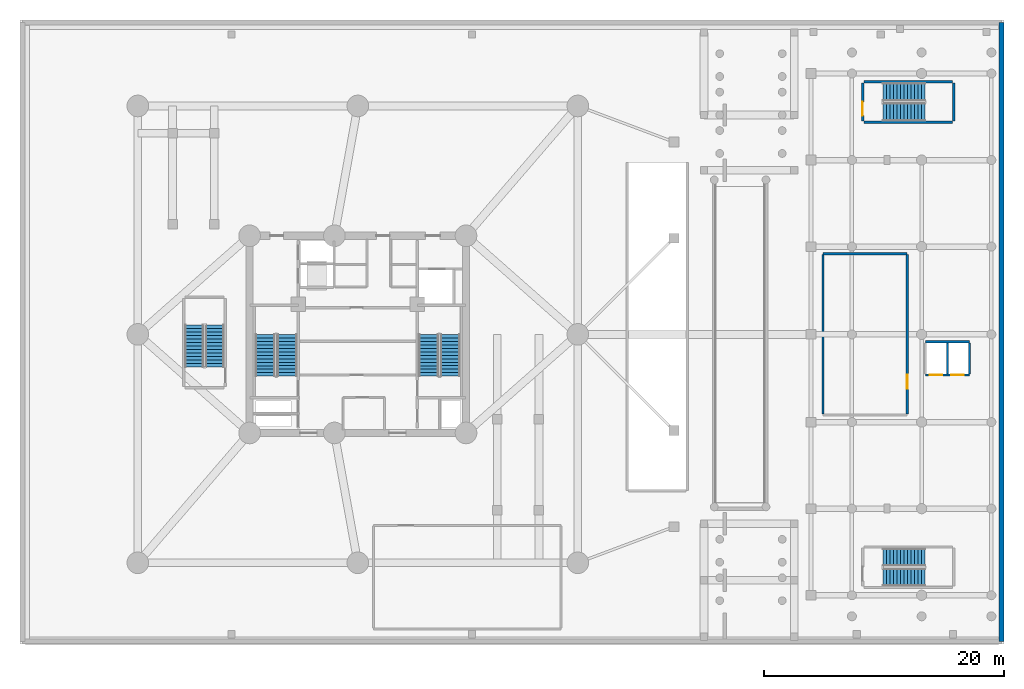
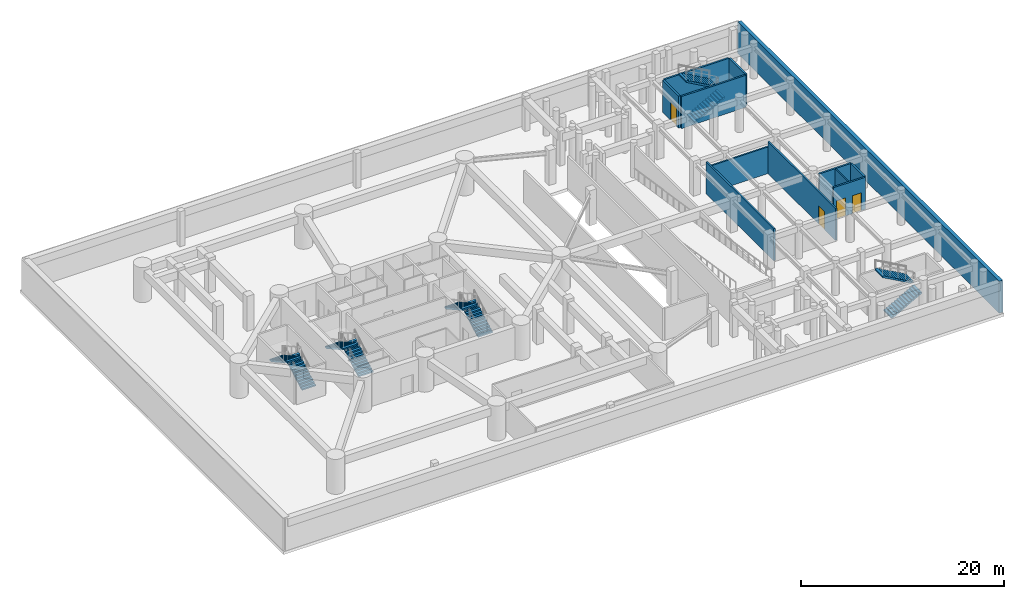
# One storey, part 7 of 11: 12 walls, 10 stair flights, 4 doors, 4 openings, 5 elements without a shape of their own.
"""IFC4 building model written with IfcOpenShell, lengths in metres."""

from ifc_helpers import new_model, si_unit, direction, frame, frame_2d, origin, origin_with_axes, place, context, subcontext, project, spatial, polyline, rectangle, outline, extrude, source, transform, mapped, material, layer, layer_set, type_object, element, fill, aggregate, save


model = new_model("IFC4")

# Units and contexts
model_context = context("Model", 3, precision=1e-05, world=origin(), true_north=direction((0.0, 1.0)))
body_context = subcontext(model_context, "Body", "Model", "MODEL_VIEW")
ifc_project = project(units=[si_unit("LENGTHUNIT", "METRE"), si_unit("AREAUNIT", "SQUARE_METRE"), si_unit("VOLUMEUNIT", "CUBIC_METRE"), si_unit("PLANEANGLEUNIT", "RADIAN"), si_unit("MASSUNIT", "GRAM", prefix="KILO")], contexts=[model_context])

# Site, building, storey
site_placement = place(None, origin())
site = spatial("IfcSite", under=ifc_project, at=site_placement, CompositionType="ELEMENT")
building_placement = place(site_placement, origin())
building = spatial("IfcBuilding", under=site, at=building_placement, Name="Karkom Vertical University and Central Library", CompositionType="ELEMENT")
storey_placement = place(building_placement, frame((0.0, 0.0, -4.199951171875)))
storey = spatial("IfcBuildingStorey", under=building, at=storey_placement, Name="B01", CompositionType="ELEMENT", Elevation=-4.199951171875)

# Walls
ifc_material_1 = material(Name="Metal-stud gypsum partition 140mm", Category="gypsum")
ifc_layer_1 = layer(ifc_material_1, 0.139892578125)
ifc_layer_set_1 = layer_set([ifc_layer_1], Name="Metal-stud gypsum partition 140mm")
wall_type_1 = type_object("IfcWallType", Name="INT-WL-SUB-140H", PredefinedType="PARTITIONING", material=ifc_layer_set_1)
wall_1_placement = place(storey_placement, frame((77.550048828125, 23.219970703125, 0.0), z_axis=(0.0, 0.0, 1.0), x_axis=(0.0, 1.0, 0.0)))
element("IfcWall", 1, at=wall_1_placement, inside=storey, type_object=wall_type_1, Name="Basement 01 Interior Partition Wall B01-W-LL-M", PredefinedType="PARTITIONING", context=body_context, shape_type="SweptSolid", body=[
    extrude(rectangle(XDim=2.56005859375, YDim=0.139892578125, at=frame_2d((1.280029296875, 0.0))), origin(), (0.0, 0.0, 1.0), 3.849853515625),
])
ifc_material_2 = material(Name="Twin-stud acoustic drywall 180mm", Category="gypsum")
ifc_layer_2 = layer(ifc_material_2, 0.179931640625)
ifc_layer_set_2 = layer_set([ifc_layer_2], Name="Twin-stud acoustic drywall 180mm")
wall_type_2 = type_object("IfcWallType", Name="INT-WL-TEN-180F", PredefinedType="PARTITIONING", material=ifc_layer_set_2)
wall_2_placement = place(storey_placement, frame((67.199951171875, 19.860107421875, 0.0), z_axis=(0.0, 0.0, 1.0), x_axis=(0.0, 1.0, 0.0)))
element("IfcWall", 2, at=wall_2_placement, inside=storey, type_object=wall_type_2, Name="Basement 01 Interior Partition Wall B01-PW-ARCL-W", PredefinedType="PARTITIONING", context=body_context, shape_type="SweptSolid", body=[
    extrude(rectangle(XDim=13.27978515625, YDim=0.179931640625, at=frame_2d((6.639892578125, 0.0))), origin(), (0.0, 0.0, 1.0), 3.849853515625),
])

# Wall, opening, door
wall_3_placement = place(storey_placement, frame((74.199951171875, 19.860107421875, 0.0), z_axis=(0.0, 0.0, 1.0), x_axis=(0.0, 1.0, 0.0)))
wall_3 = element("IfcWall", 3, at=wall_3_placement, inside=storey, type_object=wall_type_2, Name="Basement 01 Interior Partition Wall B01-PW-ARCL-E", PredefinedType="PARTITIONING", context=body_context, shape_type="SweptSolid", body=[
    extrude(rectangle(XDim=13.27978515625, YDim=0.179931640625, at=frame_2d((6.639892578125, 0.0))), origin(), (0.0, 0.0, 1.0), 3.849853515625),
])
opening_1_placement = place(wall_3_placement, frame((2.10009765625, 0.0, 0.0)))
opening_1 = element("IfcOpeningElement", 4, at=opening_1_placement, cuts=wall_3, Name="Opening FD-SUB1", PredefinedType="OPENING", context=body_context, shape_type="SweptSolid", body=[
    extrude(rectangle(XDim=1.199951171875, YDim=2.14990234375, at=frame_2d((0.60009765625, 1.074951171875))), frame((0.0, 0.10009765625, 0.0), z_axis=(0.0, -1.0, 0.0), x_axis=(1.0, 0.0, 0.0)), (0.0, 0.0, 1.0), 0.199951171875),
])
ifc_material_3 = material(Name="Painted steel fire door", Category="steel")
door_type_1 = type_object("IfcDoorType", Name="INT-DR-SUB1", OperationType="NOTDEFINED", PredefinedType="DOOR", material=ifc_material_3)
shared_shape_1 = source(origin_with_axes(), body_context, "Body", "SweptSolid", [
    extrude(rectangle(XDim=1.199951171875, YDim=2.14990234375, at=frame_2d((0.60009765625, 1.074951171875))), frame((0.0, 0.02490234375, 0.0), z_axis=(0.0, -1.0, 0.0), x_axis=(1.0, 0.0, 0.0)), (0.0, 0.0, 1.0), 0.050048828125),
])
door_1_placement = place(opening_1_placement, origin())
door_1 = element("IfcDoor", 5, at=door_1_placement, inside=storey, type_object=door_type_1, Name="Basement 01 Compact Mobile Library Archive Vault Door", OperationType="SINGLE_SWING_LEFT", OverallHeight=2.14990234375, OverallWidth=1.199951171875, PredefinedType="DOOR", context=body_context, shape_type="MappedRepresentation", body=[
    mapped(shared_shape_1, transform((0.0, 0.0, 0.0), scale=1.0)),
])
fill(opening_1, door_1)

# Walls
wall_4_placement = place(storey_placement, frame((67.199951171875, 33.199951171875, 0.0), z_axis=(0.0, 0.0, 1.0), x_axis=(1.0, 0.0, 0.0)))
element("IfcWall", 6, at=wall_4_placement, inside=storey, type_object=wall_type_2, Name="Basement 01 Interior Partition Wall B01-PW-ARCL-N", PredefinedType="PARTITIONING", context=body_context, shape_type="SweptSolid", body=[
    extrude(rectangle(XDim=7.0, YDim=0.179931640625, at=frame_2d((3.5, 0.0))), origin(), (0.0, 0.0, 1.0), 3.199951171875),
])
ifc_material_4 = material(Name="Concrete C50/60", Category="concrete")
ifc_layer_3 = layer(ifc_material_4, 0.39990234375)
ifc_layer_set_3 = layer_set([ifc_layer_3], Name="Concrete C50/60")
wall_type_3 = type_object("IfcWallType", Name="STR-WL-RW-400", PredefinedType="USERDEFINED", material=ifc_layer_set_3)
wall_5_placement = place(storey_placement, frame((82.030029296875, 0.969970703125, 0.0), z_axis=(0.0, 0.0, 1.0), x_axis=(0.0, 1.0, 0.0)))
element("IfcWall", 7, at=wall_5_placement, inside=storey, type_object=wall_type_3, Name="Basement 01 Perimeter Retaining Wall 2", ObjectType="RETAINING WALL", PredefinedType="USERDEFINED", context=body_context, shape_type="SweptSolid", body=[
    extrude(rectangle(XDim=51.4599609375, YDim=0.39990234375, at=frame_2d((25.72998046875, 0.0))), origin(), (0.0, 0.0, 1.0), 3.849853515625),
])
ifc_material_5 = material(Name="Concrete C45/55", Category="concrete")
ifc_layer_4 = layer(ifc_material_5, 0.199951171875)
ifc_layer_set_4 = layer_set([ifc_layer_4], Name="Concrete C45/55")
wall_type_4 = type_object("IfcWallType", Name="STR-WL-ST-200", PredefinedType="SHEAR", material=ifc_layer_set_4)
for number, where, z_axis, x_axis, name in (
    (8, (70.60009765625, 44.14501953125, 0.0), (0.0, 0.0, 1.0), (1.0, 0.0, 0.0), "Basement 01 Core Shaft Wall B01-W-LST2-S"),
    (9, (70.60009765625, 47.514892578125, 0.0), (0.0, 0.0, 1.0), (1.0, 0.0, 0.0), "Basement 01 Core Shaft Wall B01-W-LST2-N"),
):
    element("IfcWall", number, at=place(storey_placement, frame(where, z_axis=z_axis, x_axis=x_axis)), inside=storey, type_object=wall_type_4, Name=name, PredefinedType="SHEAR", context=body_context, shape_type="SweptSolid", body=[
        extrude(rectangle(XDim=7.349853515625, YDim=0.199951171875, at=frame_2d((3.6748046875, 0.0))), origin(), (0.0, 0.0, 1.0), 3.849853515625),
    ])

# Wall, openings, doors
wall_6_placement = place(storey_placement, frame((75.719970703125, 23.1201171875, 0.0), z_axis=(0.0, 0.0, 1.0), x_axis=(1.0, 0.0, 0.0)))
wall_6 = element("IfcWall", 10, at=wall_6_placement, inside=storey, type_object=wall_type_4, Name="Basement 01 Core Shaft Wall B01-W-LL-S", PredefinedType="SHEAR", context=body_context, shape_type="SweptSolid", body=[
    extrude(rectangle(XDim=3.659912109375, YDim=0.199951171875, at=frame_2d((1.830078125, 0.0))), origin(), (0.0, 0.0, 1.0), 3.849853515625),
])
opening_2_placement = place(wall_6_placement, frame((0.35009765625, 0.0, 0.0)))
opening_2 = element("IfcOpeningElement", 11, at=opening_2_placement, cuts=wall_6, Name="Opening LD-LIB", PredefinedType="OPENING", context=body_context, shape_type="SweptSolid", body=[
    extrude(rectangle(XDim=1.050048828125, YDim=2.14990234375, at=frame_2d((0.52490234375, 1.074951171875))), frame((0.0, 0.10986328125, 0.0), z_axis=(0.0, -1.0, 0.0), x_axis=(1.0, 0.0, 0.0)), (0.0, 0.0, 1.0), 0.219970703125),
])
opening_3_placement = place(wall_6_placement, frame((2.14990234375, 0.0, 0.0)))
opening_3 = element("IfcOpeningElement", 12, at=opening_3_placement, cuts=wall_6, Name="Opening LD-LIB", PredefinedType="OPENING", context=body_context, shape_type="SweptSolid", body=[
    extrude(rectangle(XDim=1.050048828125, YDim=2.14990234375, at=frame_2d((0.52490234375, 1.074951171875))), frame((0.0, 0.10986328125, 0.0), z_axis=(0.0, -1.0, 0.0), x_axis=(1.0, 0.0, 0.0)), (0.0, 0.0, 1.0), 0.219970703125),
])
ifc_material_6 = material(Name="Bronze-anodised lift landing door", Category="metal")
door_type_2 = type_object("IfcDoorType", Name="INT-DR-LD-LIB", OperationType="SLIDING_TO_LEFT", PredefinedType="DOOR", material=ifc_material_6)
shared_shape_2 = source(origin_with_axes(), body_context, "Body", "SweptSolid", [
    extrude(rectangle(XDim=1.050048828125, YDim=2.14990234375, at=frame_2d((0.52490234375, 1.074951171875))), frame((0.0, 0.02490234375, 0.0), z_axis=(0.0, -1.0, 0.0), x_axis=(1.0, 0.0, 0.0)), (0.0, 0.0, 1.0), 0.050048828125),
])
door_2_placement = place(opening_2_placement, origin())
door_2 = element("IfcDoor", 13, at=door_2_placement, inside=storey, type_object=door_type_2, Name="Basement 01 Library Lift LIB-L1 Landing Door", OperationType="SLIDING_TO_LEFT", OverallHeight=2.14990234375, OverallWidth=1.050048828125, PredefinedType="DOOR", context=body_context, shape_type="MappedRepresentation", body=[
    mapped(shared_shape_2, transform((0.0, 0.0, 0.0), scale=1.0)),
])
fill(opening_2, door_2)
door_3_placement = place(opening_3_placement, origin())
door_3 = element("IfcDoor", 14, at=door_3_placement, inside=storey, type_object=door_type_2, Name="Basement 01 Library Lift LIB-L2 Landing Door", OperationType="SLIDING_TO_RIGHT", OverallHeight=2.14990234375, OverallWidth=1.050048828125, PredefinedType="DOOR", context=body_context, shape_type="MappedRepresentation", body=[
    mapped(shared_shape_2, transform((0.0, 0.0, 0.0), scale=1.0)),
])
fill(opening_3, door_3)

# Wall
wall_7_placement = place(storey_placement, frame((75.719970703125, 25.8798828125, 0.0), z_axis=(0.0, 0.0, 1.0), x_axis=(1.0, 0.0, 0.0)))
element("IfcWall", 15, at=wall_7_placement, inside=storey, type_object=wall_type_4, Name="Basement 01 Core Shaft Wall B01-W-LL-N", PredefinedType="SHEAR", context=body_context, shape_type="SweptSolid", body=[
    extrude(rectangle(XDim=3.659912109375, YDim=0.199951171875, at=frame_2d((1.830078125, 0.0))), origin(), (0.0, 0.0, 1.0), 3.849853515625),
])

# Wall, opening, door
wall_8_placement = place(storey_placement, frame((70.4951171875, 44.25, 0.0), z_axis=(0.0, 0.0, 1.0), x_axis=(0.0, 1.0, 0.0)))
wall_8 = element("IfcWall", 16, at=wall_8_placement, inside=storey, type_object=wall_type_4, Name="Basement 01 Core Shaft Wall B01-W-LST2-W", PredefinedType="SHEAR", context=body_context, shape_type="SweptSolid", body=[
    extrude(rectangle(XDim=3.159912109375, YDim=0.199951171875, at=frame_2d((1.580078125, 0.0))), origin(), (0.0, 0.0, 1.0), 3.849853515625),
])
opening_4_placement = place(wall_8_placement, frame((0.449951171875, 0.0, 0.0)))
opening_4 = element("IfcOpeningElement", 17, at=opening_4_placement, cuts=wall_8, Name="Opening FD-ST1", PredefinedType="OPENING", context=body_context, shape_type="SweptSolid", body=[
    extrude(rectangle(XDim=1.14990234375, YDim=2.14990234375, at=frame_2d((0.574951171875, 1.074951171875))), frame((0.0, 0.10986328125, 0.0), z_axis=(0.0, -1.0, 0.0), x_axis=(1.0, 0.0, 0.0)), (0.0, 0.0, 1.0), 0.219970703125),
])
ifc_material_7 = material(Name="Painted steel acoustic fire door", Category="steel")
door_type_3 = type_object("IfcDoorType", Name="INT-DR-ST1", OperationType="NOTDEFINED", PredefinedType="DOOR", material=ifc_material_7)
shared_shape_3 = source(origin_with_axes(), body_context, "Body", "SweptSolid", [
    extrude(rectangle(XDim=1.14990234375, YDim=2.14990234375, at=frame_2d((0.574951171875, 1.074951171875))), frame((0.0, 0.02490234375, 0.0), z_axis=(0.0, -1.0, 0.0), x_axis=(1.0, 0.0, 0.0)), (0.0, 0.0, 1.0), 0.050048828125),
])
door_4_placement = place(opening_4_placement, origin())
door_4 = element("IfcDoor", 18, at=door_4_placement, inside=storey, type_object=door_type_3, Name="Basement 01 Library Stair LST2 Door", OperationType="SINGLE_SWING_LEFT", OverallHeight=2.14990234375, OverallWidth=1.14990234375, PredefinedType="DOOR", context=body_context, shape_type="MappedRepresentation", body=[
    mapped(shared_shape_3, transform((0.0, 0.0, 0.0), scale=1.0)),
])
fill(opening_4, door_4)

# Walls
wall_9_placement = place(storey_placement, frame((78.054931640625, 44.25, 0.0), z_axis=(0.0, 0.0, 1.0), x_axis=(0.0, 1.0, 0.0)))
element("IfcWall", 19, at=wall_9_placement, inside=storey, type_object=wall_type_4, Name="Basement 01 Core Shaft Wall B01-W-LST2-E", PredefinedType="SHEAR", context=body_context, shape_type="SweptSolid", body=[
    extrude(rectangle(XDim=3.159912109375, YDim=0.199951171875, at=frame_2d((1.580078125, 0.0))), origin(), (0.0, 0.0, 1.0), 3.849853515625),
])
wall_10_placement = place(storey_placement, frame((79.3798828125, 23.219970703125, 0.0), z_axis=(0.0, 0.0, 1.0), x_axis=(0.0, 1.0, 0.0)))
element("IfcWall", 20, at=wall_10_placement, inside=storey, type_object=wall_type_4, Name="Basement 01 Core Shaft Wall B01-W-LL-E", PredefinedType="SHEAR", context=body_context, shape_type="SweptSolid", body=[
    extrude(rectangle(XDim=2.56005859375, YDim=0.199951171875, at=frame_2d((1.280029296875, 0.0))), origin(), (0.0, 0.0, 1.0), 3.849853515625),
])

# Stair, stair flights
stair_type_1 = type_object("IfcStairType", Name="INT-STR-ST-LIB", PredefinedType="HALF_TURN_STAIR", material=ifc_material_5)
stair_1_placement = place(storey_placement, origin())
stair_1 = element("IfcStair", 21, at=stair_1_placement, inside=storey, type_object=stair_type_1, Name="Basement 01 Central Library South Exit Stair LIB-ST1", PredefinedType="HALF_TURN_STAIR")
stair_flight_type_1 = type_object("IfcStairFlightType", Name="INT-SFL-ST-LIB", PredefinedType="STRAIGHT", material=ifc_material_5)
stair_flight_1_placement = place(storey_placement, frame((72.199951171875, 6.300048828125, 0.0), z_axis=(0.0, 0.0, 1.0), x_axis=(1.0, 0.0, 0.0)))
stair_flight_1 = element("IfcStairFlight", 22, at=stair_flight_1_placement, type_object=stair_flight_type_1, Name="LIB-ST1 flight 1", NumberOfRisers=13, NumberOfTreads=12, PredefinedType="STRAIGHT", RiserHeight=0.161538462, TreadLength=0.29, context=body_context, shape_type="SweptSolid", body=[
    extrude(outline(polyline([(0.0, 0.0), (0.0, 0.16162109375), (0.2900390625, 0.16162109375), (0.2900390625, 0.322998046875), (0.580078125, 0.322998046875), (0.580078125, 0.484619140625), (0.8701171875, 0.484619140625), (0.8701171875, 0.646240234375), (1.159912109375, 0.646240234375), (1.159912109375, 0.8076171875), (1.449951171875, 0.8076171875), (1.449951171875, 0.96923828125), (1.739990234375, 0.96923828125), (1.739990234375, 1.130859375), (2.030029296875, 1.130859375), (2.030029296875, 1.292236328125), (2.320068359375, 1.292236328125), (2.320068359375, 1.453857421875), (2.610107421875, 1.453857421875), (2.610107421875, 1.615478515625), (2.89990234375, 1.615478515625), (2.89990234375, 1.77685546875), (3.18994140625, 1.77685546875), (3.18994140625, 1.9384765625), (3.47998046875, 1.9384765625), (3.47998046875, 2.10009765625), (3.47998046875, 1.766845703125), (0.30810546875, 0.0), (0.0, 0.0)])), frame((0.0, 0.75, 0.0), z_axis=(0.0, -1.0, 0.0), x_axis=(1.0, 0.0, 0.0)), (0.0, 0.0, 1.0), 1.5),
])
stair_flight_2_placement = place(storey_placement, frame((75.679931640625, 7.9599609375, 2.099853515625), z_axis=(0.0, 0.0, 1.0), x_axis=(-1.0, 0.0, 0.0)))
stair_flight_2 = element("IfcStairFlight", 23, at=stair_flight_2_placement, type_object=stair_flight_type_1, Name="LIB-ST1 flight 2", NumberOfRisers=13, NumberOfTreads=12, PredefinedType="STRAIGHT", RiserHeight=0.161538462, TreadLength=0.29, context=body_context, shape_type="SweptSolid", body=[
    extrude(outline(polyline([(0.0, 0.0), (0.0, 0.16162109375), (0.2900390625, 0.16162109375), (0.2900390625, 0.322998046875), (0.580078125, 0.322998046875), (0.580078125, 0.484619140625), (0.8701171875, 0.484619140625), (0.8701171875, 0.646240234375), (1.159912109375, 0.646240234375), (1.159912109375, 0.8076171875), (1.449951171875, 0.8076171875), (1.449951171875, 0.96923828125), (1.739990234375, 0.96923828125), (1.739990234375, 1.130859375), (2.030029296875, 1.130859375), (2.030029296875, 1.292236328125), (2.320068359375, 1.292236328125), (2.320068359375, 1.453857421875), (2.610107421875, 1.453857421875), (2.610107421875, 1.615478515625), (2.89990234375, 1.615478515625), (2.89990234375, 1.77685546875), (3.18994140625, 1.77685546875), (3.18994140625, 1.9384765625), (3.47998046875, 1.9384765625), (3.47998046875, 2.10009765625), (3.47998046875, 1.766845703125), (0.30810546875, 0.0), (0.0, 0.0)])), frame((0.0, 0.75, 0.0), z_axis=(0.0, -1.0, 0.0), x_axis=(1.0, 0.0, 0.0)), (0.0, 0.0, 1.0), 1.5),
])
aggregate(stair_1, [stair_flight_1, stair_flight_2])

stair_2_placement = place(storey_placement, origin())
stair_2 = element("IfcStair", 24, at=stair_2_placement, inside=storey, type_object=stair_type_1, Name="Basement 01 Central Library North Exit Stair LIB-ST2", PredefinedType="HALF_TURN_STAIR")
stair_flight_3_placement = place(storey_placement, frame((72.199951171875, 45.0, 0.0), z_axis=(0.0, 0.0, 1.0), x_axis=(1.0, 0.0, 0.0)))
stair_flight_3 = element("IfcStairFlight", 25, at=stair_flight_3_placement, type_object=stair_flight_type_1, Name="LIB-ST2 flight 1", NumberOfRisers=13, NumberOfTreads=12, PredefinedType="STRAIGHT", RiserHeight=0.161538462, TreadLength=0.29, context=body_context, shape_type="SweptSolid", body=[
    extrude(outline(polyline([(0.0, 0.0), (0.0, 0.16162109375), (0.2900390625, 0.16162109375), (0.2900390625, 0.322998046875), (0.580078125, 0.322998046875), (0.580078125, 0.484619140625), (0.8701171875, 0.484619140625), (0.8701171875, 0.646240234375), (1.159912109375, 0.646240234375), (1.159912109375, 0.8076171875), (1.449951171875, 0.8076171875), (1.449951171875, 0.96923828125), (1.739990234375, 0.96923828125), (1.739990234375, 1.130859375), (2.030029296875, 1.130859375), (2.030029296875, 1.292236328125), (2.320068359375, 1.292236328125), (2.320068359375, 1.453857421875), (2.610107421875, 1.453857421875), (2.610107421875, 1.615478515625), (2.89990234375, 1.615478515625), (2.89990234375, 1.77685546875), (3.18994140625, 1.77685546875), (3.18994140625, 1.9384765625), (3.47998046875, 1.9384765625), (3.47998046875, 2.10009765625), (3.47998046875, 1.766845703125), (0.30810546875, 0.0), (0.0, 0.0)])), frame((0.0, 0.75, 0.0), z_axis=(0.0, -1.0, 0.0), x_axis=(1.0, 0.0, 0.0)), (0.0, 0.0, 1.0), 1.5),
])
stair_flight_4_placement = place(storey_placement, frame((75.679931640625, 46.659912109375, 2.099853515625), z_axis=(0.0, 0.0, 1.0), x_axis=(-1.0, 0.0, 0.0)))
stair_flight_4 = element("IfcStairFlight", 26, at=stair_flight_4_placement, type_object=stair_flight_type_1, Name="LIB-ST2 flight 2", NumberOfRisers=13, NumberOfTreads=12, PredefinedType="STRAIGHT", RiserHeight=0.161538462, TreadLength=0.29, context=body_context, shape_type="SweptSolid", body=[
    extrude(outline(polyline([(0.0, 0.0), (0.0, 0.16162109375), (0.2900390625, 0.16162109375), (0.2900390625, 0.322998046875), (0.580078125, 0.322998046875), (0.580078125, 0.484619140625), (0.8701171875, 0.484619140625), (0.8701171875, 0.646240234375), (1.159912109375, 0.646240234375), (1.159912109375, 0.8076171875), (1.449951171875, 0.8076171875), (1.449951171875, 0.96923828125), (1.739990234375, 0.96923828125), (1.739990234375, 1.130859375), (2.030029296875, 1.130859375), (2.030029296875, 1.292236328125), (2.320068359375, 1.292236328125), (2.320068359375, 1.453857421875), (2.610107421875, 1.453857421875), (2.610107421875, 1.615478515625), (2.89990234375, 1.615478515625), (2.89990234375, 1.77685546875), (3.18994140625, 1.77685546875), (3.18994140625, 1.9384765625), (3.47998046875, 1.9384765625), (3.47998046875, 2.10009765625), (3.47998046875, 1.766845703125), (0.30810546875, 0.0), (0.0, 0.0)])), frame((0.0, 0.75, 0.0), z_axis=(0.0, -1.0, 0.0), x_axis=(1.0, 0.0, 0.0)), (0.0, 0.0, 1.0), 1.5),
])
aggregate(stair_2, [stair_flight_3, stair_flight_4])

stair_type_2 = type_object("IfcStairType", Name="INT-STR-ST-MAIN", PredefinedType="HALF_TURN_STAIR", material=ifc_material_5)
stair_3_placement = place(storey_placement, origin())
stair_3 = element("IfcStair", 27, at=stair_3_placement, inside=storey, type_object=stair_type_2, Name="Basement 01 Tower Protected Exit Stair ST-1", PredefinedType="HALF_TURN_STAIR")
stair_flight_type_2 = type_object("IfcStairFlightType", Name="INT-SFL-ST-MAIN", PredefinedType="STRAIGHT", material=ifc_material_5)
stair_flight_5_placement = place(storey_placement, frame((22.614990234375, 23.02001953125, 0.0), z_axis=(0.0, 0.0, 1.0), x_axis=(0.0, 1.0, 0.0)))
stair_flight_5 = element("IfcStairFlight", 28, at=stair_flight_5_placement, type_object=stair_flight_type_2, Name="ST-1 flight 1", NumberOfRisers=13, NumberOfTreads=12, PredefinedType="STRAIGHT", RiserHeight=0.161538462, TreadLength=0.29, context=body_context, shape_type="SweptSolid", body=[
    extrude(outline(polyline([(0.0, 0.0), (0.0, 0.16162109375), (0.2900390625, 0.16162109375), (0.2900390625, 0.322998046875), (0.580078125, 0.322998046875), (0.580078125, 0.484619140625), (0.8701171875, 0.484619140625), (0.8701171875, 0.646240234375), (1.159912109375, 0.646240234375), (1.159912109375, 0.8076171875), (1.449951171875, 0.8076171875), (1.449951171875, 0.96923828125), (1.739990234375, 0.96923828125), (1.739990234375, 1.130859375), (2.030029296875, 1.130859375), (2.030029296875, 1.292236328125), (2.320068359375, 1.292236328125), (2.320068359375, 1.453857421875), (2.610107421875, 1.453857421875), (2.610107421875, 1.615478515625), (2.89990234375, 1.615478515625), (2.89990234375, 1.77685546875), (3.18994140625, 1.77685546875), (3.18994140625, 1.9384765625), (3.47998046875, 1.9384765625), (3.47998046875, 2.10009765625), (3.47998046875, 1.766845703125), (0.30810546875, 0.0), (0.0, 0.0)])), frame((0.0, 0.824951171875, 0.0), z_axis=(0.0, -1.0, 0.0), x_axis=(1.0, 0.0, 0.0)), (0.0, 0.0, 1.0), 1.64990234375),
])
stair_flight_6_placement = place(storey_placement, frame((20.804931640625, 26.5, 2.099853515625), z_axis=(0.0, 0.0, 1.0), x_axis=(0.0, -1.0, 0.0)))
stair_flight_6 = element("IfcStairFlight", 29, at=stair_flight_6_placement, type_object=stair_flight_type_2, Name="ST-1 flight 2", NumberOfRisers=13, NumberOfTreads=12, PredefinedType="STRAIGHT", RiserHeight=0.161538462, TreadLength=0.29, context=body_context, shape_type="SweptSolid", body=[
    extrude(outline(polyline([(0.0, 0.0), (0.0, 0.16162109375), (0.2900390625, 0.16162109375), (0.2900390625, 0.322998046875), (0.580078125, 0.322998046875), (0.580078125, 0.484619140625), (0.8701171875, 0.484619140625), (0.8701171875, 0.646240234375), (1.159912109375, 0.646240234375), (1.159912109375, 0.8076171875), (1.449951171875, 0.8076171875), (1.449951171875, 0.96923828125), (1.739990234375, 0.96923828125), (1.739990234375, 1.130859375), (2.030029296875, 1.130859375), (2.030029296875, 1.292236328125), (2.320068359375, 1.292236328125), (2.320068359375, 1.453857421875), (2.610107421875, 1.453857421875), (2.610107421875, 1.615478515625), (2.89990234375, 1.615478515625), (2.89990234375, 1.77685546875), (3.18994140625, 1.77685546875), (3.18994140625, 1.9384765625), (3.47998046875, 1.9384765625), (3.47998046875, 2.10009765625), (3.47998046875, 1.766845703125), (0.30810546875, 0.0), (0.0, 0.0)])), frame((0.0, 0.824951171875, 0.0), z_axis=(0.0, -1.0, 0.0), x_axis=(1.0, 0.0, 0.0)), (0.0, 0.0, 1.0), 1.64990234375),
])
aggregate(stair_3, [stair_flight_5, stair_flight_6])

stair_4_placement = place(storey_placement, origin())
stair_4 = element("IfcStair", 30, at=stair_4_placement, inside=storey, type_object=stair_type_2, Name="Basement 01 Tower Protected Exit Stair ST-2", PredefinedType="HALF_TURN_STAIR")
stair_flight_7_placement = place(storey_placement, frame((36.195068359375, 23.02001953125, 0.0), z_axis=(0.0, 0.0, 1.0), x_axis=(0.0, 1.0, 0.0)))
stair_flight_7 = element("IfcStairFlight", 31, at=stair_flight_7_placement, type_object=stair_flight_type_2, Name="ST-2 flight 1", NumberOfRisers=13, NumberOfTreads=12, PredefinedType="STRAIGHT", RiserHeight=0.161538462, TreadLength=0.29, context=body_context, shape_type="SweptSolid", body=[
    extrude(outline(polyline([(0.0, 0.0), (0.0, 0.16162109375), (0.2900390625, 0.16162109375), (0.2900390625, 0.322998046875), (0.580078125, 0.322998046875), (0.580078125, 0.484619140625), (0.8701171875, 0.484619140625), (0.8701171875, 0.646240234375), (1.159912109375, 0.646240234375), (1.159912109375, 0.8076171875), (1.449951171875, 0.8076171875), (1.449951171875, 0.96923828125), (1.739990234375, 0.96923828125), (1.739990234375, 1.130859375), (2.030029296875, 1.130859375), (2.030029296875, 1.292236328125), (2.320068359375, 1.292236328125), (2.320068359375, 1.453857421875), (2.610107421875, 1.453857421875), (2.610107421875, 1.615478515625), (2.89990234375, 1.615478515625), (2.89990234375, 1.77685546875), (3.18994140625, 1.77685546875), (3.18994140625, 1.9384765625), (3.47998046875, 1.9384765625), (3.47998046875, 2.10009765625), (3.47998046875, 1.766845703125), (0.30810546875, 0.0), (0.0, 0.0)])), frame((0.0, 0.824951171875, 0.0), z_axis=(0.0, -1.0, 0.0), x_axis=(1.0, 0.0, 0.0)), (0.0, 0.0, 1.0), 1.64990234375),
])
stair_flight_8_placement = place(storey_placement, frame((34.385009765625, 26.5, 2.099853515625), z_axis=(0.0, 0.0, 1.0), x_axis=(0.0, -1.0, 0.0)))
stair_flight_8 = element("IfcStairFlight", 32, at=stair_flight_8_placement, type_object=stair_flight_type_2, Name="ST-2 flight 2", NumberOfRisers=13, NumberOfTreads=12, PredefinedType="STRAIGHT", RiserHeight=0.161538462, TreadLength=0.29, context=body_context, shape_type="SweptSolid", body=[
    extrude(outline(polyline([(0.0, 0.0), (0.0, 0.16162109375), (0.2900390625, 0.16162109375), (0.2900390625, 0.322998046875), (0.580078125, 0.322998046875), (0.580078125, 0.484619140625), (0.8701171875, 0.484619140625), (0.8701171875, 0.646240234375), (1.159912109375, 0.646240234375), (1.159912109375, 0.8076171875), (1.449951171875, 0.8076171875), (1.449951171875, 0.96923828125), (1.739990234375, 0.96923828125), (1.739990234375, 1.130859375), (2.030029296875, 1.130859375), (2.030029296875, 1.292236328125), (2.320068359375, 1.292236328125), (2.320068359375, 1.453857421875), (2.610107421875, 1.453857421875), (2.610107421875, 1.615478515625), (2.89990234375, 1.615478515625), (2.89990234375, 1.77685546875), (3.18994140625, 1.77685546875), (3.18994140625, 1.9384765625), (3.47998046875, 1.9384765625), (3.47998046875, 2.10009765625), (3.47998046875, 1.766845703125), (0.30810546875, 0.0), (0.0, 0.0)])), frame((0.0, 0.824951171875, 0.0), z_axis=(0.0, -1.0, 0.0), x_axis=(1.0, 0.0, 0.0)), (0.0, 0.0, 1.0), 1.64990234375),
])
aggregate(stair_4, [stair_flight_7, stair_flight_8])

stair_type_3 = type_object("IfcStairType", Name="INT-STR-ST-SEC", PredefinedType="HALF_TURN_STAIR", material=ifc_material_5)
stair_5_placement = place(storey_placement, origin())
stair_5 = element("IfcStair", 33, at=stair_5_placement, inside=storey, type_object=stair_type_3, Name="Basement 01 Academic Zone Protected Exit Stair ST-3", PredefinedType="HALF_TURN_STAIR")
stair_flight_type_3 = type_object("IfcStairFlightType", Name="INT-SFL-ST-SEC", PredefinedType="STRAIGHT", material=ifc_material_5)
stair_flight_9_placement = place(storey_placement, frame((16.60498046875, 23.800048828125, 0.0), z_axis=(0.0, 0.0, 1.0), x_axis=(0.0, 1.0, 0.0)))
stair_flight_9 = element("IfcStairFlight", 34, at=stair_flight_9_placement, type_object=stair_flight_type_3, Name="ST-3 flight 1", NumberOfRisers=13, NumberOfTreads=12, PredefinedType="STRAIGHT", RiserHeight=0.161538462, TreadLength=0.29, context=body_context, shape_type="SweptSolid", body=[
    extrude(outline(polyline([(0.0, 0.0), (0.0, 0.16162109375), (0.2900390625, 0.16162109375), (0.2900390625, 0.322998046875), (0.580078125, 0.322998046875), (0.580078125, 0.484619140625), (0.8701171875, 0.484619140625), (0.8701171875, 0.646240234375), (1.159912109375, 0.646240234375), (1.159912109375, 0.8076171875), (1.449951171875, 0.8076171875), (1.449951171875, 0.96923828125), (1.739990234375, 0.96923828125), (1.739990234375, 1.130859375), (2.030029296875, 1.130859375), (2.030029296875, 1.292236328125), (2.320068359375, 1.292236328125), (2.320068359375, 1.453857421875), (2.610107421875, 1.453857421875), (2.610107421875, 1.615478515625), (2.89990234375, 1.615478515625), (2.89990234375, 1.77685546875), (3.18994140625, 1.77685546875), (3.18994140625, 1.9384765625), (3.47998046875, 1.9384765625), (3.47998046875, 2.10009765625), (3.47998046875, 1.766845703125), (0.30810546875, 0.0), (0.0, 0.0)])), frame((0.0, 0.77490234375, 0.0), z_axis=(0.0, -1.0, 0.0), x_axis=(1.0, 0.0, 0.0)), (0.0, 0.0, 1.0), 1.550048828125),
])
stair_flight_10_placement = place(storey_placement, frame((14.89501953125, 27.280029296875, 2.099853515625), z_axis=(0.0, 0.0, 1.0), x_axis=(0.0, -1.0, 0.0)))
stair_flight_10 = element("IfcStairFlight", 35, at=stair_flight_10_placement, type_object=stair_flight_type_3, Name="ST-3 flight 2", NumberOfRisers=13, NumberOfTreads=12, PredefinedType="STRAIGHT", RiserHeight=0.161538462, TreadLength=0.29, context=body_context, shape_type="SweptSolid", body=[
    extrude(outline(polyline([(0.0, 0.0), (0.0, 0.16162109375), (0.2900390625, 0.16162109375), (0.2900390625, 0.322998046875), (0.580078125, 0.322998046875), (0.580078125, 0.484619140625), (0.8701171875, 0.484619140625), (0.8701171875, 0.646240234375), (1.159912109375, 0.646240234375), (1.159912109375, 0.8076171875), (1.449951171875, 0.8076171875), (1.449951171875, 0.96923828125), (1.739990234375, 0.96923828125), (1.739990234375, 1.130859375), (2.030029296875, 1.130859375), (2.030029296875, 1.292236328125), (2.320068359375, 1.292236328125), (2.320068359375, 1.453857421875), (2.610107421875, 1.453857421875), (2.610107421875, 1.615478515625), (2.89990234375, 1.615478515625), (2.89990234375, 1.77685546875), (3.18994140625, 1.77685546875), (3.18994140625, 1.9384765625), (3.47998046875, 1.9384765625), (3.47998046875, 2.10009765625), (3.47998046875, 1.766845703125), (0.30810546875, 0.0), (0.0, 0.0)])), frame((0.0, 0.77490234375, 0.0), z_axis=(0.0, -1.0, 0.0), x_axis=(1.0, 0.0, 0.0)), (0.0, 0.0, 1.0), 1.550048828125),
])
aggregate(stair_5, [stair_flight_9, stair_flight_10])

save(model, "model.ifc")
